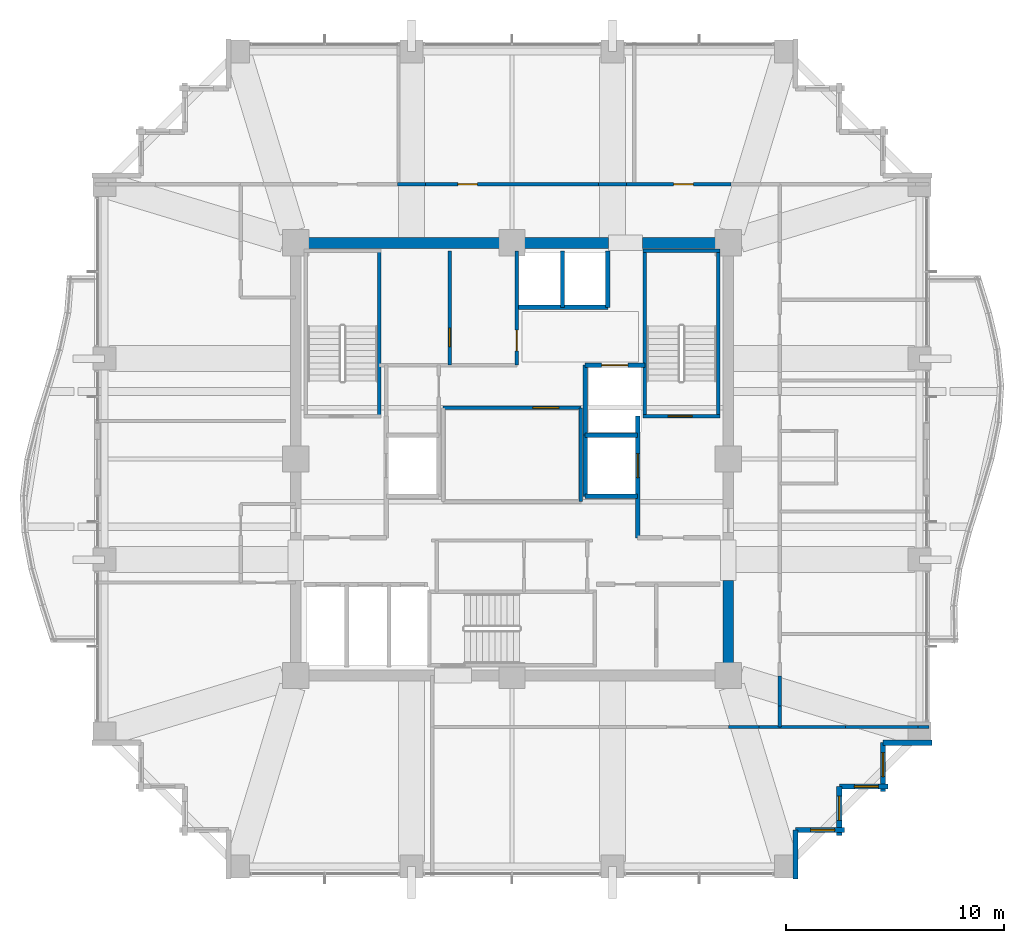
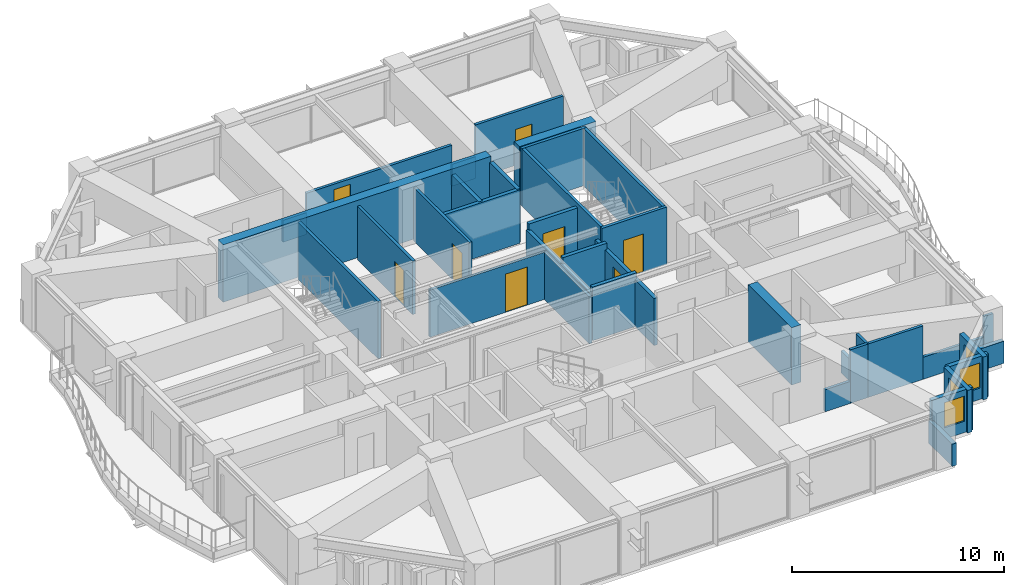
# One storey, part 32 of 36: 38 walls, 8 doors, 4 windows, 12 openings.
"""IFC4 building model written with IfcOpenShell, lengths in metres."""

from ifc_helpers import new_model, si_unit, direction, frame, frame_2d, origin, place, context, subcontext, project, spatial, rectangle, extrude, material, layer, layer_set, type_object, element, fill, save


model = new_model("IFC4")

# Units and contexts
model_context = context("Model", 3, precision=1e-05, world=origin(), true_north=direction((0.0, 1.0)))
body_context = subcontext(model_context, "Body", "Model", "MODEL_VIEW")
ifc_project = project(units=[si_unit("LENGTHUNIT", "METRE"), si_unit("AREAUNIT", "SQUARE_METRE"), si_unit("VOLUMEUNIT", "CUBIC_METRE"), si_unit("PLANEANGLEUNIT", "RADIAN"), si_unit("MASSUNIT", "GRAM", prefix="KILO")], contexts=[model_context])

# Site, building, storey
site_placement = place(None, origin())
site = spatial("IfcSite", under=ifc_project, at=site_placement, CompositionType="ELEMENT")
building_placement = place(site_placement, origin())
building = spatial("IfcBuilding", under=site, at=building_placement, Name="Kolvaren Belvedere", CompositionType="ELEMENT")
storey_placement = place(building_placement, frame((0.0, 0.0, 108.5)))
storey = spatial("IfcBuildingStorey", under=building, at=storey_placement, Name="L31", CompositionType="ELEMENT", Elevation=108.5)

# Walls
ifc_material_1 = material(Name="Concrete C50/60", Category="concrete")
ifc_layer_1 = layer(ifc_material_1, 0.5)
ifc_layer_set_1 = layer_set([ifc_layer_1], Name="Concrete C50/60")
wall_type_1 = type_object("IfcWallType", Name="CW-CORE-500", PredefinedType="SHEAR", material=ifc_layer_set_1)
wall_1_placement = place(storey_placement, frame((-10.14990234375, 9.89990234375, 0.0), z_axis=(0.0, 0.0, 1.0), x_axis=(1.0, 0.0, 0.0)))
element("IfcWall", 1, at=wall_1_placement, inside=storey, type_object=wall_type_1, Name="L31 North Core Shear Wall 1", PredefinedType="SHEAR", context=body_context, shape_type="SweptSolid", body=[
    extrude(rectangle(XDim=14.56982421875, YDim=0.5, at=frame_2d((7.284912109375, 0.0))), origin(), (0.0, 0.0, 1.0), 3.300048828125),
])
wall_2_placement = place(storey_placement, frame((5.97998046875, 9.89990234375, 0.0), z_axis=(0.0, 0.0, 1.0), x_axis=(1.0, 0.0, 0.0)))
element("IfcWall", 2, at=wall_2_placement, inside=storey, type_object=wall_type_1, Name="L31 North Core Shear Wall 2", PredefinedType="SHEAR", context=body_context, shape_type="SweptSolid", body=[
    extrude(rectangle(XDim=4.169921875, YDim=0.5, at=frame_2d((2.0849609375, 0.0))), origin(), (0.0, 0.0, 1.0), 3.300048828125),
])
wall_3_placement = place(storey_placement, frame((9.89990234375, -9.64990234375, 0.0), z_axis=(0.0, 0.0, 1.0), x_axis=(0.0, 1.0, 0.0)))
element("IfcWall", 3, at=wall_3_placement, inside=storey, type_object=wall_type_1, Name="L31 East Core Shear Wall 1", PredefinedType="SHEAR", context=body_context, shape_type="SweptSolid", body=[
    extrude(rectangle(XDim=4.099853515625, YDim=0.5, at=frame_2d((2.0498046875, 0.0))), origin(), (0.0, 0.0, 1.0), 3.300048828125),
])
ifc_material_2 = material(Name="Concrete C50/60", Category="concrete")
ifc_layer_2 = layer(ifc_material_2, 0.159912109375)
ifc_layer_set_2 = layer_set([ifc_layer_2], Name="Concrete C50/60")
wall_type_2 = type_object("IfcWallType", Name="CW-STAIR-160", PredefinedType="SHEAR", material=ifc_layer_set_2)
wall_4_placement = place(storey_placement, frame((-6.080078125, 1.969970703125, 0.0), z_axis=(0.0, 0.0, 1.0), x_axis=(0.0, 1.0, 0.0)))
element("IfcWall", 4, at=wall_4_placement, inside=storey, type_object=wall_type_2, Name="L31 Stair ST-1 East Shear Wall", PredefinedType="SHEAR", context=body_context, shape_type="SweptSolid", body=[
    extrude(rectangle(XDim=7.56005859375, YDim=0.159912109375, at=frame_2d((3.780029296875, 0.0))), origin(), (0.0, 0.0, 1.0), 3.300048828125),
])

# Wall, opening, door
wall_5_placement = place(storey_placement, frame((6.0, 1.969970703125, 0.0), z_axis=(0.0, 0.0, 1.0), x_axis=(1.0, 0.0, 0.0)))
wall_5 = element("IfcWall", 5, at=wall_5_placement, inside=storey, type_object=wall_type_2, Name="L31 Stair ST-2 South Shear Wall", PredefinedType="SHEAR", context=body_context, shape_type="SweptSolid", body=[
    extrude(rectangle(XDim=3.52001953125, YDim=0.159912109375, at=frame_2d((1.760009765625, 0.0))), origin(), (0.0, 0.0, 1.0), 3.300048828125),
])
opening_1_placement = place(wall_5_placement, frame((1.14990234375, 0.0, 0.0)))
opening_1 = element("IfcOpeningElement", 6, at=opening_1_placement, cuts=wall_5, Name="Opening D-FD90", PredefinedType="OPENING", context=body_context, shape_type="SweptSolid", body=[
    extrude(rectangle(XDim=1.10009765625, YDim=2.199951171875, at=frame_2d((0.550048828125, 1.10009765625))), frame((0.0, 0.08984375, 0.0), z_axis=(0.0, -1.0, 0.0), x_axis=(1.0, 0.0, 0.0)), (0.0, 0.0, 1.0), 0.179931640625),
])
ifc_material_3 = material(Name="Painted hollow stainless steel", Category="steel")
door_type_1 = type_object("IfcDoorType", Name="DR-FD90-1100", OperationType="NOTDEFINED", PredefinedType="DOOR", material=ifc_material_3)
door_1_placement = place(opening_1_placement, origin())
door_1 = element("IfcDoor", 7, at=door_1_placement, inside=storey, type_object=door_type_1, Name="L31 Stair ST-2 Fire Door", OperationType="SINGLE_SWING_RIGHT", OverallHeight=2.199951171875, OverallWidth=1.10009765625, PredefinedType="DOOR", context=body_context, shape_type="SweptSolid", body=[
    extrude(rectangle(XDim=1.10009765625, YDim=2.199951171875, at=frame_2d((0.550048828125, 1.10009765625))), frame((0.0, 0.02490234375, 0.0), z_axis=(0.0, -1.0, 0.0), x_axis=(1.0, 0.0, 0.0)), (0.0, 0.0, 1.0), 0.050048828125),
])
fill(opening_1, door_1)

# Walls
wall_6_placement = place(storey_placement, frame((6.0, 9.530029296875, 0.0), z_axis=(0.0, 0.0, 1.0), x_axis=(1.0, 0.0, 0.0)))
element("IfcWall", 8, at=wall_6_placement, inside=storey, type_object=wall_type_2, Name="L31 Stair ST-2 North Shear Wall", PredefinedType="SHEAR", context=body_context, shape_type="SweptSolid", body=[
    extrude(rectangle(XDim=3.52001953125, YDim=0.159912109375, at=frame_2d((1.760009765625, 0.0))), origin(), (0.0, 0.0, 1.0), 3.300048828125),
])
for number, where, z_axis, x_axis, name in (
    (9, (6.080078125, 1.969970703125, 0.0), (0.0, 0.0, 1.0), (0.0, 1.0, 0.0), "L31 Stair ST-2 West Shear Wall"),
    (10, (9.429931640625, 1.969970703125, 0.0), (0.0, 0.0, 1.0), (0.0, 1.0, 0.0), "L31 Stair ST-2 East Shear Wall"),
):
    element("IfcWall", number, at=place(storey_placement, frame(where, z_axis=z_axis, x_axis=x_axis)), inside=storey, type_object=wall_type_2, Name=name, PredefinedType="SHEAR", context=body_context, shape_type="SweptSolid", body=[
        extrude(rectangle(XDim=7.56005859375, YDim=0.159912109375, at=frame_2d((3.780029296875, 0.0))), origin(), (0.0, 0.0, 1.0), 3.300048828125),
    ])
ifc_material_4 = material(Name="Gypsum fire-rated partition assembly", Category="gypsum")
ifc_layer_3 = layer(ifc_material_4, 0.14990234375)
ifc_layer_set_3 = layer_set([ifc_layer_3], Name="Gypsum fire-rated partition assembly")
wall_type_3 = type_object("IfcWallType", Name="WL-CORR-150", PredefinedType="PARTITIONING", material=ifc_layer_set_3)
wall_7_placement = place(storey_placement, frame((-5.241943359375, 12.580078125, 0.0), z_axis=(0.0, 0.0, 1.0), x_axis=(1.0, 0.0, 0.0)))
element("IfcWall", 11, at=wall_7_placement, inside=storey, type_object=wall_type_3, Name="L31 North Corridor Wall", PredefinedType="PARTITIONING", context=body_context, shape_type="SweptSolid", body=[
    extrude(rectangle(XDim=1.283935546875, YDim=0.14990234375, at=frame_2d((0.64208984375, 0.0))), origin(), (0.0, 0.0, 1.0), 1.264892578125),
])

# Wall, opening, door
wall_8_placement = place(storey_placement, frame((-3.9580078125, 12.580078125, 0.0), z_axis=(0.0, 0.0, 1.0), x_axis=(1.0, 0.0, 0.0)))
wall_8 = element("IfcWall", 12, at=wall_8_placement, inside=storey, type_object=wall_type_3, Name="L31 North Corridor Wall", PredefinedType="PARTITIONING", context=body_context, shape_type="SweptSolid", body=[
    extrude(rectangle(XDim=7.916015625, YDim=0.14990234375, at=frame_2d((3.9580078125, 0.0))), origin(), (0.0, 0.0, 1.0), 2.368896484375),
])
opening_2_placement = place(wall_8_placement, frame((1.47802734375, 0.0, 0.0)))
opening_2 = element("IfcOpeningElement", 13, at=opening_2_placement, cuts=wall_8, Name="Opening D-INT90", PredefinedType="OPENING", context=body_context, shape_type="SweptSolid", body=[
    extrude(rectangle(XDim=0.89990234375, YDim=2.06005859375, at=frame_2d((0.449951171875, 1.030029296875))), frame((0.0, 0.0849609375, 0.0), z_axis=(0.0, -1.0, 0.0), x_axis=(1.0, 0.0, 0.0)), (0.0, 0.0, 1.0), 0.169921875),
])
ifc_material_5 = material(Name="Stained Pacific white oak", Category="timber")
door_type_2 = type_object("IfcDoorType", Name="DR-INT-900", OperationType="NOTDEFINED", PredefinedType="DOOR", material=ifc_material_5)
door_2_placement = place(opening_2_placement, origin())
door_2 = element("IfcDoor", 14, at=door_2_placement, inside=storey, type_object=door_type_2, Name="L31 Panoramic Quiet Lounge 3102 Door", OperationType="SINGLE_SWING_LEFT", OverallHeight=2.06005859375, OverallWidth=0.89990234375, PredefinedType="DOOR", context=body_context, shape_type="SweptSolid", body=[
    extrude(rectangle(XDim=0.89990234375, YDim=2.06005859375, at=frame_2d((0.449951171875, 1.030029296875))), frame((0.0, 0.02490234375, 0.0), z_axis=(0.0, -1.0, 0.0), x_axis=(1.0, 0.0, 0.0)), (0.0, 0.0, 1.0), 0.050048828125),
])
fill(opening_2, door_2)

# Wall
wall_9_placement = place(storey_placement, frame((3.9580078125, 12.580078125, 0.0), z_axis=(0.0, 0.0, 1.0), x_axis=(1.0, 0.0, 0.0)))
element("IfcWall", 15, at=wall_9_placement, inside=storey, type_object=wall_type_3, Name="L31 North Corridor Wall", PredefinedType="PARTITIONING", context=body_context, shape_type="SweptSolid", body=[
    extrude(rectangle(XDim=1.283935546875, YDim=0.14990234375, at=frame_2d((0.64208984375, 0.0))), origin(), (0.0, 0.0, 1.0), 1.264892578125),
])

# Wall, opening, door
wall_10_placement = place(storey_placement, frame((5.241943359375, 12.580078125, 0.0), z_axis=(0.0, 0.0, 1.0), x_axis=(1.0, 0.0, 0.0)))
wall_10 = element("IfcWall", 16, at=wall_10_placement, inside=storey, type_object=wall_type_3, Name="L31 North Corridor Wall", PredefinedType="PARTITIONING", context=body_context, shape_type="SweptSolid", body=[
    extrude(rectangle(XDim=4.77392578125, YDim=0.14990234375, at=frame_2d((2.386962890625, 0.0))), origin(), (0.0, 0.0, 1.0), 3.080078125),
])
opening_3_placement = place(wall_10_placement, frame((2.159423828125, 0.0, 0.0)))
opening_3 = element("IfcOpeningElement", 17, at=opening_3_placement, cuts=wall_10, Name="Opening D-INT90", PredefinedType="OPENING", context=body_context, shape_type="SweptSolid", body=[
    extrude(rectangle(XDim=0.89990234375, YDim=2.06005859375, at=frame_2d((0.449951171875, 1.030029296875))), frame((0.0, 0.0849609375, 0.0), z_axis=(0.0, -1.0, 0.0), x_axis=(1.0, 0.0, 0.0)), (0.0, 0.0, 1.0), 0.169921875),
])
door_3_placement = place(opening_3_placement, origin())
door_3 = element("IfcDoor", 18, at=door_3_placement, inside=storey, type_object=door_type_2, Name="L31 Botanical Reading Salon 3103 Door", OperationType="SINGLE_SWING_RIGHT", OverallHeight=2.06005859375, OverallWidth=0.89990234375, PredefinedType="DOOR", context=body_context, shape_type="SweptSolid", body=[
    extrude(rectangle(XDim=0.89990234375, YDim=2.06005859375, at=frame_2d((0.449951171875, 1.030029296875))), frame((0.0, 0.02490234375, 0.0), z_axis=(0.0, -1.0, 0.0), x_axis=(1.0, 0.0, 0.0)), (0.0, 0.0, 1.0), 0.050048828125),
])
fill(opening_3, door_3)

# Walls
wall_11_placement = place(storey_placement, frame((12.260009765625, -12.260009765625, 0.0), z_axis=(0.0, 0.0, 1.0), x_axis=(0.0, 1.0, 0.0)))
element("IfcWall", 19, at=wall_11_placement, inside=storey, type_object=wall_type_3, Name="L31 East Corridor Wall", PredefinedType="PARTITIONING", context=body_context, shape_type="SweptSolid", body=[
    extrude(rectangle(XDim=0.949462890625, YDim=0.14990234375, at=frame_2d((0.474609375, 0.0))), origin(), (0.0, 0.0, 1.0), 3.080078125),
])
for number, where, z_axis, x_axis, name in (
    (20, (12.260009765625, -11.310546875, 0.0), (0.0, 0.0, 1.0), (0.0, 1.0, 0.0), "L31 East Corridor Wall"),
    (21, (9.9189453125, -12.260009765625, 0.0), (0.0, 0.0, 1.0), (1.0, 0.0, 0.0), "L31 South-East Corridor Wall"),
):
    element("IfcWall", number, at=place(storey_placement, frame(where, z_axis=z_axis, x_axis=x_axis)), inside=storey, type_object=wall_type_3, Name=name, PredefinedType="PARTITIONING", context=body_context, shape_type="SweptSolid", body=[
        extrude(rectangle(XDim=1.3916015625, YDim=0.14990234375, at=frame_2d((0.69580078125, 0.0))), origin(), (0.0, 0.0, 1.0), 1.264892578125),
    ])
wall_12_placement = place(storey_placement, frame((11.310546875, -12.260009765625, 0.0), z_axis=(0.0, 0.0, 1.0), x_axis=(1.0, 0.0, 0.0)))
element("IfcWall", 22, at=wall_12_placement, inside=storey, type_object=wall_type_3, Name="L31 South-East Corridor Wall", PredefinedType="PARTITIONING", context=body_context, shape_type="SweptSolid", body=[
    extrude(rectangle(XDim=0.949462890625, YDim=0.14990234375, at=frame_2d((0.474609375, 0.0))), origin(), (0.0, 0.0, 1.0), 3.080078125),
])
ifc_material_6 = material(Name="Insulated pale-metal facade wall assembly", Category="aluminium")
ifc_layer_4 = layer(ifc_material_6, 0.239990234375)
ifc_layer_set_4 = layer_set([ifc_layer_4], Name="Insulated pale-metal facade wall assembly")
wall_type_4 = type_object("IfcWallType", Name="WL-EXT-240", PredefinedType="STANDARD", material=ifc_layer_set_4)
wall_13_placement = place(storey_placement, frame((12.97998046875, -16.97998046875, 0.0), z_axis=(0.0, 0.0, 1.0), x_axis=(0.0, -1.0, 0.0)))
element("IfcWall", 23, at=wall_13_placement, inside=storey, type_object=wall_type_4, Name="L31 Serrated Corner Facade Wall 2", PredefinedType="STANDARD", context=body_context, shape_type="SweptSolid", body=[
    extrude(rectangle(XDim=2.239990234375, YDim=0.239990234375, at=frame_2d((1.1201171875, 0.0))), origin(), (0.0, 0.0, 1.0), 1.27490234375),
])

# Wall, opening, window
wall_14_placement = place(storey_placement, frame((15.219970703125, -16.97998046875, 0.0), z_axis=(0.0, 0.0, 1.0), x_axis=(-1.0, 0.0, 0.0)))
wall_14 = element("IfcWall", 24, at=wall_14_placement, inside=storey, type_object=wall_type_4, Name="L31 Serrated Corner Facade Wall 3", PredefinedType="STANDARD", context=body_context, shape_type="SweptSolid", body=[
    extrude(rectangle(XDim=2.239990234375, YDim=0.239990234375, at=frame_2d((1.1201171875, 0.0))), origin(), (0.0, 0.0, 1.0), 2.458984375),
])
opening_4_placement = place(wall_14_placement, frame((0.449951171875, 0.0, 0.64990234375)))
opening_4 = element("IfcOpeningElement", 25, at=opening_4_placement, cuts=wall_14, Name="Opening W-1100", PredefinedType="OPENING", context=body_context, shape_type="SweptSolid", body=[
    extrude(rectangle(XDim=1.10009765625, YDim=1.449951171875, at=frame_2d((0.550048828125, 0.72509765625))), frame((0.0, 0.1298828125, 0.0), z_axis=(0.0, -1.0, 0.0), x_axis=(1.0, 0.0, 0.0)), (0.0, 0.0, 1.0), 0.260009765625),
])
ifc_material_7 = material(Name="Low-iron triple insulated glass", Category="glass")
window_type = type_object("IfcWindowType", Name="WN-CORN-1100", PartitioningType="SINGLE_PANEL", PredefinedType="WINDOW", material=ifc_material_7)
window_1_placement = place(opening_4_placement, origin())
window_1 = element("IfcWindow", 26, at=window_1_placement, inside=storey, type_object=window_type, Name="L31 Serrated Corner Vision Window 3", OverallHeight=1.449951171875, OverallWidth=1.10009765625, PartitioningType="SINGLE_PANEL", PredefinedType="WINDOW", context=body_context, shape_type="SweptSolid", body=[
    extrude(rectangle(XDim=1.10009765625, YDim=1.449951171875, at=frame_2d((0.550048828125, 0.72509765625))), frame((0.0, 0.030029296875, 0.0), z_axis=(0.0, -1.0, 0.0), x_axis=(1.0, 0.0, 0.0)), (0.0, 0.0, 1.0), 0.06005859375),
])
fill(opening_4, window_1)

wall_15_placement = place(storey_placement, frame((14.97998046875, -14.97998046875, 0.0), z_axis=(0.0, 0.0, 1.0), x_axis=(0.0, -1.0, 0.0)))
wall_15 = element("IfcWall", 27, at=wall_15_placement, inside=storey, type_object=wall_type_4, Name="L31 Serrated Corner Facade Wall 4", PredefinedType="STANDARD", context=body_context, shape_type="SweptSolid", body=[
    extrude(rectangle(XDim=2.239990234375, YDim=0.239990234375, at=frame_2d((1.1201171875, 0.0))), origin(), (0.0, 0.0, 1.0), 2.458984375),
])
opening_5_placement = place(wall_15_placement, frame((0.449951171875, 0.0, 0.64990234375)))
opening_5 = element("IfcOpeningElement", 28, at=opening_5_placement, cuts=wall_15, Name="Opening W-1100", PredefinedType="OPENING", context=body_context, shape_type="SweptSolid", body=[
    extrude(rectangle(XDim=1.10009765625, YDim=1.449951171875, at=frame_2d((0.550048828125, 0.72509765625))), frame((0.0, 0.1298828125, 0.0), z_axis=(0.0, -1.0, 0.0), x_axis=(1.0, 0.0, 0.0)), (0.0, 0.0, 1.0), 0.260009765625),
])
window_2_placement = place(opening_5_placement, origin())
window_2 = element("IfcWindow", 29, at=window_2_placement, inside=storey, type_object=window_type, Name="L31 Serrated Corner Vision Window 4", OverallHeight=1.449951171875, OverallWidth=1.10009765625, PartitioningType="SINGLE_PANEL", PredefinedType="WINDOW", context=body_context, shape_type="SweptSolid", body=[
    extrude(rectangle(XDim=1.10009765625, YDim=1.449951171875, at=frame_2d((0.550048828125, 0.72509765625))), frame((0.0, 0.030029296875, 0.0), z_axis=(0.0, -1.0, 0.0), x_axis=(1.0, 0.0, 0.0)), (0.0, 0.0, 1.0), 0.06005859375),
])
fill(opening_5, window_2)

wall_16_placement = place(storey_placement, frame((17.219970703125, -14.97998046875, 0.0), z_axis=(0.0, 0.0, 1.0), x_axis=(-1.0, 0.0, 0.0)))
wall_16 = element("IfcWall", 30, at=wall_16_placement, inside=storey, type_object=wall_type_4, Name="L31 Serrated Corner Facade Wall 5", PredefinedType="STANDARD", context=body_context, shape_type="SweptSolid", body=[
    extrude(rectangle(XDim=2.239990234375, YDim=0.239990234375, at=frame_2d((1.1201171875, 0.0))), origin(), (0.0, 0.0, 1.0), 2.458984375),
])
opening_6_placement = place(wall_16_placement, frame((0.449951171875, 0.0, 0.64990234375)))
opening_6 = element("IfcOpeningElement", 31, at=opening_6_placement, cuts=wall_16, Name="Opening W-1100", PredefinedType="OPENING", context=body_context, shape_type="SweptSolid", body=[
    extrude(rectangle(XDim=1.10009765625, YDim=1.449951171875, at=frame_2d((0.550048828125, 0.72509765625))), frame((0.0, 0.1298828125, 0.0), z_axis=(0.0, -1.0, 0.0), x_axis=(1.0, 0.0, 0.0)), (0.0, 0.0, 1.0), 0.260009765625),
])
window_3_placement = place(opening_6_placement, origin())
window_3 = element("IfcWindow", 32, at=window_3_placement, inside=storey, type_object=window_type, Name="L31 Serrated Corner Vision Window 5", OverallHeight=1.449951171875, OverallWidth=1.10009765625, PartitioningType="SINGLE_PANEL", PredefinedType="WINDOW", context=body_context, shape_type="SweptSolid", body=[
    extrude(rectangle(XDim=1.10009765625, YDim=1.449951171875, at=frame_2d((0.550048828125, 0.72509765625))), frame((0.0, 0.030029296875, 0.0), z_axis=(0.0, -1.0, 0.0), x_axis=(1.0, 0.0, 0.0)), (0.0, 0.0, 1.0), 0.06005859375),
])
fill(opening_6, window_3)

wall_17_placement = place(storey_placement, frame((16.97998046875, -12.97998046875, 0.0), z_axis=(0.0, 0.0, 1.0), x_axis=(0.0, -1.0, 0.0)))
wall_17 = element("IfcWall", 33, at=wall_17_placement, inside=storey, type_object=wall_type_4, Name="L31 Serrated Corner Facade Wall 6", PredefinedType="STANDARD", context=body_context, shape_type="SweptSolid", body=[
    extrude(rectangle(XDim=2.239990234375, YDim=0.239990234375, at=frame_2d((1.1201171875, 0.0))), origin(), (0.0, 0.0, 1.0), 2.458984375),
])
opening_7_placement = place(wall_17_placement, frame((0.449951171875, 0.0, 0.64990234375)))
opening_7 = element("IfcOpeningElement", 34, at=opening_7_placement, cuts=wall_17, Name="Opening W-1100", PredefinedType="OPENING", context=body_context, shape_type="SweptSolid", body=[
    extrude(rectangle(XDim=1.10009765625, YDim=1.449951171875, at=frame_2d((0.550048828125, 0.72509765625))), frame((0.0, 0.1298828125, 0.0), z_axis=(0.0, -1.0, 0.0), x_axis=(1.0, 0.0, 0.0)), (0.0, 0.0, 1.0), 0.260009765625),
])
window_4_placement = place(opening_7_placement, origin())
window_4 = element("IfcWindow", 35, at=window_4_placement, inside=storey, type_object=window_type, Name="L31 Serrated Corner Vision Window 6", OverallHeight=1.449951171875, OverallWidth=1.10009765625, PartitioningType="SINGLE_PANEL", PredefinedType="WINDOW", context=body_context, shape_type="SweptSolid", body=[
    extrude(rectangle(XDim=1.10009765625, YDim=1.449951171875, at=frame_2d((0.550048828125, 0.72509765625))), frame((0.0, 0.030029296875, 0.0), z_axis=(0.0, -1.0, 0.0), x_axis=(1.0, 0.0, 0.0)), (0.0, 0.0, 1.0), 0.06005859375),
])
fill(opening_7, window_4)

# Wall
wall_18_placement = place(storey_placement, frame((19.219970703125, -12.97998046875, 0.0), z_axis=(0.0, 0.0, 1.0), x_axis=(-1.0, 0.0, 0.0)))
element("IfcWall", 36, at=wall_18_placement, inside=storey, type_object=wall_type_4, Name="L31 Serrated Corner Facade Wall 7", PredefinedType="STANDARD", context=body_context, shape_type="SweptSolid", body=[
    extrude(rectangle(XDim=2.239990234375, YDim=0.239990234375, at=frame_2d((1.1201171875, 0.0))), origin(), (0.0, 0.0, 1.0), 1.27490234375),
])

# Wall, opening, door
ifc_material_8 = material(Name="Fire-rated laminated glass partition", Category="glass")
ifc_layer_5 = layer(ifc_material_8, 0.14990234375)
ifc_layer_set_5 = layer_set([ifc_layer_5], Name="Fire-rated laminated glass partition")
wall_type_5 = type_object("IfcWallType", Name="WL-GLAZ-150", PredefinedType="PARTITIONING", material=ifc_layer_set_5)
wall_19_placement = place(storey_placement, frame((-3.14990234375, 2.35009765625, 0.0), z_axis=(0.0, 0.0, 1.0), x_axis=(1.0, 0.0, 0.0)))
wall_19 = element("IfcWall", 37, at=wall_19_placement, inside=storey, type_object=wall_type_5, Name="L31 Atrium Glazed Screen North", PredefinedType="PARTITIONING", context=body_context, shape_type="SweptSolid", body=[
    extrude(rectangle(XDim=6.2998046875, YDim=0.14990234375, at=frame_2d((3.14990234375, 0.0))), origin(), (0.0, 0.0, 1.0), 2.715087890625),
])
opening_8_placement = place(wall_19_placement, frame((4.10009765625, 0.0, 0.0)))
opening_8 = element("IfcOpeningElement", 38, at=opening_8_placement, cuts=wall_19, Name="Opening D-GL12", PredefinedType="OPENING", context=body_context, shape_type="SweptSolid", body=[
    extrude(rectangle(XDim=1.199951171875, YDim=2.199951171875, at=frame_2d((0.60009765625, 1.10009765625))), frame((0.0, 0.0849609375, 0.0), z_axis=(0.0, -1.0, 0.0), x_axis=(1.0, 0.0, 0.0)), (0.0, 0.0, 1.0), 0.169921875),
])
ifc_material_9 = material(Name="Anodised pale-metal aluminium & safety glass", Category="aluminium")
door_type_3 = type_object("IfcDoorType", Name="DR-GLAZ-1200", OperationType="DOUBLE_DOOR_SINGLE_SWING", PredefinedType="DOOR", material=ifc_material_9)
door_4_placement = place(opening_8_placement, origin())
door_4 = element("IfcDoor", 39, at=door_4_placement, inside=storey, type_object=door_type_3, Name="L31 Atrium Court Glazed Door", OperationType="DOUBLE_DOOR_SINGLE_SWING", OverallHeight=2.199951171875, OverallWidth=1.199951171875, PredefinedType="DOOR", context=body_context, shape_type="SweptSolid", body=[
    extrude(rectangle(XDim=1.199951171875, YDim=2.199951171875, at=frame_2d((0.60009765625, 1.10009765625))), frame((0.0, 0.02490234375, 0.0), z_axis=(0.0, -1.0, 0.0), x_axis=(1.0, 0.0, 0.0)), (0.0, 0.0, 1.0), 0.050048828125),
])
fill(opening_8, door_4)

# Wall
wall_20_placement = place(storey_placement, frame((3.14990234375, -1.949951171875, 0.0), z_axis=(0.0, 0.0, 1.0), x_axis=(0.0, 1.0, 0.0)))
element("IfcWall", 40, at=wall_20_placement, inside=storey, type_object=wall_type_5, Name="L31 Atrium Glazed Screen East", PredefinedType="PARTITIONING", context=body_context, shape_type="SweptSolid", body=[
    extrude(rectangle(XDim=4.300048828125, YDim=0.14990234375, at=frame_2d((2.14990234375, 0.0))), origin(), (0.0, 0.0, 1.0), 2.715087890625),
])

# Wall, opening, door
ifc_material_10 = material(Name="Gypsum acoustic partition assembly", Category="gypsum")
ifc_layer_6 = layer(ifc_material_10, 0.14990234375)
ifc_layer_set_6 = layer_set([ifc_layer_6], Name="Gypsum acoustic partition assembly")
wall_type_6 = type_object("IfcWallType", Name="WL-PART-150", PredefinedType="PARTITIONING", material=ifc_layer_set_6)
wall_21_placement = place(storey_placement, frame((0.219970703125, 4.300048828125, 0.0), z_axis=(0.0, 0.0, 1.0), x_axis=(0.0, 1.0, 0.0)))
wall_21 = element("IfcWall", 41, at=wall_21_placement, inside=storey, type_object=wall_type_6, Name="L31 Reclaimed Salon East Wall", PredefinedType="PARTITIONING", context=body_context, shape_type="SweptSolid", body=[
    extrude(rectangle(XDim=5.219970703125, YDim=0.14990234375, at=frame_2d((2.60986328125, 0.0))), origin(), (0.0, 0.0, 1.0), 3.080078125),
])
opening_9_placement = place(wall_21_placement, frame((0.64990234375, 0.0, 0.0)))
opening_9 = element("IfcOpeningElement", 42, at=opening_9_placement, cuts=wall_21, Name="Opening D-INT95", PredefinedType="OPENING", context=body_context, shape_type="SweptSolid", body=[
    extrude(rectangle(XDim=0.949951171875, YDim=2.06005859375, at=frame_2d((0.47509765625, 1.030029296875))), frame((0.0, 0.0849609375, 0.0), z_axis=(0.0, -1.0, 0.0), x_axis=(1.0, 0.0, 0.0)), (0.0, 0.0, 1.0), 0.169921875),
])
ifc_material_11 = material(Name="Stained Pacific white oak", Category="timber")
door_type_4 = type_object("IfcDoorType", Name="DR-INT-950", OperationType="NOTDEFINED", PredefinedType="DOOR", material=ifc_material_11)
door_5_placement = place(opening_9_placement, origin())
door_5 = element("IfcDoor", 43, at=door_5_placement, inside=storey, type_object=door_type_4, Name="L31 Sky Boardroom Door", OperationType="SINGLE_SWING_LEFT", OverallHeight=2.06005859375, OverallWidth=0.949951171875, PredefinedType="DOOR", context=body_context, shape_type="SweptSolid", body=[
    extrude(rectangle(XDim=0.949951171875, YDim=2.06005859375, at=frame_2d((0.47509765625, 1.030029296875))), frame((0.0, 0.02490234375, 0.0), z_axis=(0.0, -1.0, 0.0), x_axis=(1.0, 0.0, 0.0)), (0.0, 0.0, 1.0), 0.050048828125),
])
fill(opening_9, door_5)

wall_22_placement = place(storey_placement, frame((-2.85009765625, 4.300048828125, 0.0), z_axis=(0.0, 0.0, 1.0), x_axis=(0.0, 1.0, 0.0)))
wall_22 = element("IfcWall", 44, at=wall_22_placement, inside=storey, type_object=wall_type_6, Name="L31 Reclaimed Salon Divider", PredefinedType="PARTITIONING", context=body_context, shape_type="SweptSolid", body=[
    extrude(rectangle(XDim=5.219970703125, YDim=0.14990234375, at=frame_2d((2.60986328125, 0.0))), origin(), (0.0, 0.0, 1.0), 3.080078125),
])
opening_10_placement = place(wall_22_placement, frame((0.85009765625, 0.0, 0.0)))
opening_10 = element("IfcOpeningElement", 45, at=opening_10_placement, cuts=wall_22, Name="Opening D-INT85", PredefinedType="OPENING", context=body_context, shape_type="SweptSolid", body=[
    extrude(rectangle(XDim=0.85009765625, YDim=2.030029296875, at=frame_2d((0.425048828125, 1.01513671875))), frame((0.0, 0.0849609375, 0.0), z_axis=(0.0, -1.0, 0.0), x_axis=(1.0, 0.0, 0.0)), (0.0, 0.0, 1.0), 0.169921875),
])
ifc_material_12 = material(Name="Stained Pacific white oak", Category="timber")
door_type_5 = type_object("IfcDoorType", Name="DR-INT-850", OperationType="NOTDEFINED", PredefinedType="DOOR", material=ifc_material_12)
door_6_placement = place(opening_10_placement, origin())
door_6 = element("IfcDoor", 46, at=door_6_placement, inside=storey, type_object=door_type_5, Name="L31 Beverage Pantry Door", OperationType="SINGLE_SWING_RIGHT", OverallHeight=2.030029296875, OverallWidth=0.85009765625, PredefinedType="DOOR", context=body_context, shape_type="SweptSolid", body=[
    extrude(rectangle(XDim=0.85009765625, YDim=2.030029296875, at=frame_2d((0.425048828125, 1.01513671875))), frame((0.0, 0.02490234375, 0.0), z_axis=(0.0, -1.0, 0.0), x_axis=(1.0, 0.0, 0.0)), (0.0, 0.0, 1.0), 0.050048828125),
])
fill(opening_10, door_6)

# Walls
wall_23_placement = place(storey_placement, frame((12.260009765625, -12.260009765625, 0.0), z_axis=(0.0, 0.0, 1.0), x_axis=(1.0, 0.0, 0.0)))
element("IfcWall", 47, at=wall_23_placement, inside=storey, type_object=wall_type_6, Name="L31 Wing Divider PW-L31-QSE", PredefinedType="PARTITIONING", context=body_context, shape_type="SweptSolid", body=[
    extrude(rectangle(XDim=3.00390625, YDim=0.14990234375, at=frame_2d((1.501953125, 0.0))), origin(), (0.0, 0.0, 1.0), 3.080078125),
])
wall_24_placement = place(storey_placement, frame((15.263916015625, -12.260009765625, 0.0), z_axis=(0.0, 0.0, 1.0), x_axis=(1.0, 0.0, 0.0)))
element("IfcWall", 48, at=wall_24_placement, inside=storey, type_object=wall_type_6, Name="L31 Wing Divider PW-L31-QSE", PredefinedType="PARTITIONING", context=body_context, shape_type="SweptSolid", body=[
    extrude(rectangle(XDim=3.310791015625, YDim=0.14990234375, at=frame_2d((1.6552734375, 0.0))), origin(), (0.0, 0.0, 1.0), 1.264892578125),
])
wall_25_placement = place(storey_placement, frame((18.57470703125, -12.260009765625, 0.0), z_axis=(0.0, 0.0, 1.0), x_axis=(1.0, 0.0, 0.0)))
element("IfcWall", 49, at=wall_25_placement, inside=storey, type_object=wall_type_6, Name="L31 Wing Divider PW-L31-QSE", PredefinedType="PARTITIONING", context=body_context, shape_type="SweptSolid", body=[
    extrude(rectangle(XDim=0.50537109375, YDim=0.14990234375, at=frame_2d((0.252685546875, 0.0))), origin(), (0.0, 0.0, 1.0), 2.448974609375),
])

# Wall, opening, door
ifc_material_13 = material(Name="Concrete C50/60", Category="concrete")
ifc_layer_7 = layer(ifc_material_13, 0.199951171875)
ifc_layer_set_7 = layer_set([ifc_layer_7], Name="Concrete C50/60")
wall_type_7 = type_object("IfcWallType", Name="WL-SHAFT-200", PredefinedType="SOLIDWALL", material=ifc_layer_set_7)
wall_26_placement = place(storey_placement, frame((5.75, -3.60009765625, 0.0), z_axis=(0.0, 0.0, 1.0), x_axis=(0.0, 1.0, 0.0)))
wall_26 = element("IfcWall", 50, at=wall_26_placement, inside=storey, type_object=wall_type_7, Name="L31 FSAE FS2 Landing Wall", PredefinedType="SOLIDWALL", context=body_context, shape_type="SweptSolid", body=[
    extrude(rectangle(XDim=5.570068359375, YDim=0.199951171875, at=frame_2d((2.78515625, 0.0))), origin(), (0.0, 0.0, 1.0), 2.715087890625),
])
opening_11_placement = place(wall_26_placement, frame((2.75, 0.0, 0.0)))
opening_11 = element("IfcOpeningElement", 51, at=opening_11_placement, cuts=wall_26, Name="Opening LD-11", PredefinedType="OPENING", context=body_context, shape_type="SweptSolid", body=[
    extrude(rectangle(XDim=1.10009765625, YDim=2.199951171875, at=frame_2d((0.550048828125, 1.10009765625))), frame((0.0, 0.10986328125, 0.0), z_axis=(0.0, -1.0, 0.0), x_axis=(1.0, 0.0, 0.0)), (0.0, 0.0, 1.0), 0.219970703125),
])
ifc_material_14 = material(Name="Brushed stainless steel", Category="steel")
door_type_6 = type_object("IfcDoorType", Name="DR-LIFT-1100", OperationType="DOUBLE_DOOR_SLIDING", PredefinedType="DOOR", material=ifc_material_14)
door_7_placement = place(opening_11_placement, origin())
door_7 = element("IfcDoor", 52, at=door_7_placement, inside=storey, type_object=door_type_6, Name="L31 Firefighting Lift FS2 Landing Door", OperationType="DOUBLE_DOOR_SLIDING", OverallHeight=2.199951171875, OverallWidth=1.10009765625, PredefinedType="DOOR", context=body_context, shape_type="SweptSolid", body=[
    extrude(rectangle(XDim=1.10009765625, YDim=2.199951171875, at=frame_2d((0.550048828125, 1.10009765625))), frame((0.0, 0.02490234375, 0.0), z_axis=(0.0, -1.0, 0.0), x_axis=(1.0, 0.0, 0.0)), (0.0, 0.0, 1.0), 0.050048828125),
])
fill(opening_11, door_7)

# Walls
wall_27_placement = place(storey_placement, frame((3.35009765625, -1.699951171875, 0.0), z_axis=(0.0, 0.0, 1.0), x_axis=(0.0, 1.0, 0.0)))
element("IfcWall", 53, at=wall_27_placement, inside=storey, type_object=wall_type_7, Name="L31 FSAE FS2 Back Wall", PredefinedType="SOLIDWALL", context=body_context, shape_type="SweptSolid", body=[
    extrude(rectangle(XDim=2.800048828125, YDim=0.199951171875, at=frame_2d((1.39990234375, 0.0))), origin(), (0.0, 0.0, 1.0), 2.715087890625),
])
for number, where, z_axis, x_axis, name in (
    (54, (3.35009765625, -1.699951171875, 0.0), (0.0, 0.0, 1.0), (1.0, 0.0, 0.0), "L31 FSAE FS2 South Wall"),
    (55, (3.35009765625, 1.10009765625, 0.0), (0.0, 0.0, 1.0), (1.0, 0.0, 0.0), "L31 FSAE FS2 North Wall"),
):
    element("IfcWall", number, at=place(storey_placement, frame(where, z_axis=z_axis, x_axis=x_axis)), inside=storey, type_object=wall_type_7, Name=name, PredefinedType="SOLIDWALL", context=body_context, shape_type="SweptSolid", body=[
        extrude(rectangle(XDim=2.39990234375, YDim=0.199951171875, at=frame_2d((1.199951171875, 0.0))), origin(), (0.0, 0.0, 1.0), 3.080078125),
    ])

# Wall, opening, door
wall_28_placement = place(storey_placement, frame((3.35009765625, 4.300048828125, 0.0), z_axis=(0.0, 0.0, 1.0), x_axis=(1.0, 0.0, 0.0)))
wall_28 = element("IfcWall", 56, at=wall_28_placement, inside=storey, type_object=wall_type_7, Name="L31 Service Lift SV1 Front Wall", PredefinedType="SOLIDWALL", context=body_context, shape_type="SweptSolid", body=[
    extrude(rectangle(XDim=2.72998046875, YDim=0.199951171875, at=frame_2d((1.364990234375, 0.0))), origin(), (0.0, 0.0, 1.0), 3.080078125),
])
opening_12_placement = place(wall_28_placement, frame((0.75, 0.0, 0.0)))
opening_12 = element("IfcOpeningElement", 57, at=opening_12_placement, cuts=wall_28, Name="Opening LD-12", PredefinedType="OPENING", context=body_context, shape_type="SweptSolid", body=[
    extrude(rectangle(XDim=1.199951171875, YDim=2.25, at=frame_2d((0.60009765625, 1.125))), frame((0.0, 0.10986328125, 0.0), z_axis=(0.0, -1.0, 0.0), x_axis=(1.0, 0.0, 0.0)), (0.0, 0.0, 1.0), 0.219970703125),
])
ifc_material_15 = material(Name="Brushed stainless steel", Category="steel")
door_type_7 = type_object("IfcDoorType", Name="DR-LIFT-1200", OperationType="DOUBLE_DOOR_SLIDING", PredefinedType="DOOR", material=ifc_material_15)
door_8_placement = place(opening_12_placement, origin())
door_8 = element("IfcDoor", 58, at=door_8_placement, inside=storey, type_object=door_type_7, Name="L31 Service Lift SV1 Landing Door", OperationType="DOUBLE_DOOR_SLIDING", OverallHeight=2.25, OverallWidth=1.199951171875, PredefinedType="DOOR", context=body_context, shape_type="SweptSolid", body=[
    extrude(rectangle(XDim=1.199951171875, YDim=2.25, at=frame_2d((0.60009765625, 1.125))), frame((0.0, 0.02490234375, 0.0), z_axis=(0.0, -1.0, 0.0), x_axis=(1.0, 0.0, 0.0)), (0.0, 0.0, 1.0), 0.050048828125),
])
fill(opening_12, door_8)

# Walls
wall_29_placement = place(storey_placement, frame((3.35009765625, 1.10009765625, 0.0), z_axis=(0.0, 0.0, 1.0), x_axis=(0.0, 1.0, 0.0)))
element("IfcWall", 59, at=wall_29_placement, inside=storey, type_object=wall_type_7, Name="L31 Service Lift SV1 West Wall", PredefinedType="SOLIDWALL", context=body_context, shape_type="SweptSolid", body=[
    extrude(rectangle(XDim=3.199951171875, YDim=0.199951171875, at=frame_2d((1.60009765625, 0.0))), origin(), (0.0, 0.0, 1.0), 2.715087890625),
])
wall_30_placement = place(storey_placement, frame((0.219970703125, 6.949951171875, 0.0), z_axis=(0.0, 0.0, 1.0), x_axis=(1.0, 0.0, 0.0)))
element("IfcWall", 60, at=wall_30_placement, inside=storey, type_object=wall_type_7, Name="L31 Express Shuttle Hoistway Wall", PredefinedType="SOLIDWALL", context=body_context, shape_type="SweptSolid", body=[
    extrude(rectangle(XDim=4.179931640625, YDim=0.199951171875, at=frame_2d((2.08984375, 0.0))), origin(), (0.0, 0.0, 1.0), 3.080078125),
])
for number, where, z_axis, x_axis, name in (
    (61, (4.3798828125, 6.949951171875, 0.0), (0.0, 0.0, 1.0), (0.0, 1.0, 0.0), "L31 Express Shuttle East Wall"),
    (62, (2.31005859375, 6.949951171875, 0.0), (0.0, 0.0, 1.0), (0.0, 1.0, 0.0), "L31 Express Shuttle Divider"),
):
    element("IfcWall", number, at=place(storey_placement, frame(where, z_axis=z_axis, x_axis=x_axis)), inside=storey, type_object=wall_type_7, Name=name, PredefinedType="SOLIDWALL", context=body_context, shape_type="SweptSolid", body=[
        extrude(rectangle(XDim=2.570068359375, YDim=0.199951171875, at=frame_2d((1.28515625, 0.0))), origin(), (0.0, 0.0, 1.0), 3.080078125),
    ])

save(model, "model.ifc")
